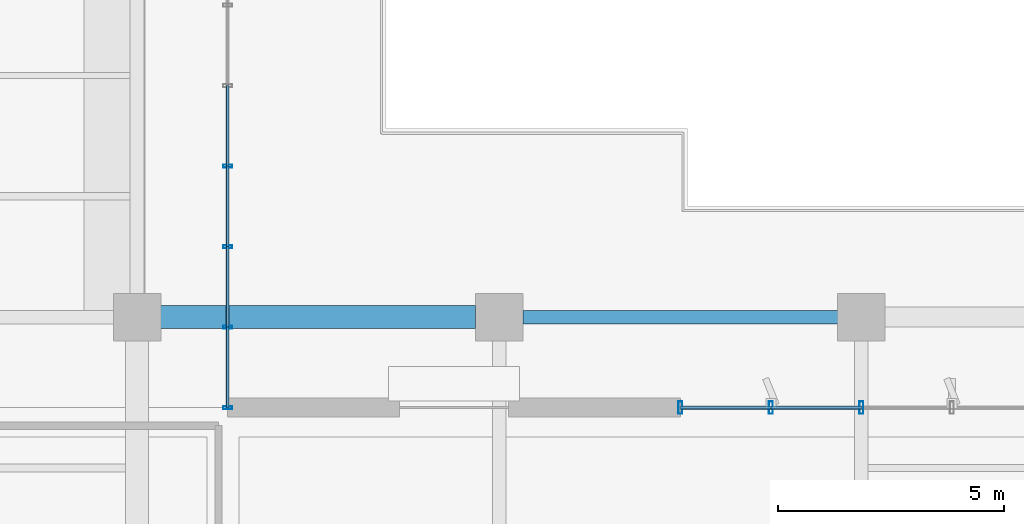
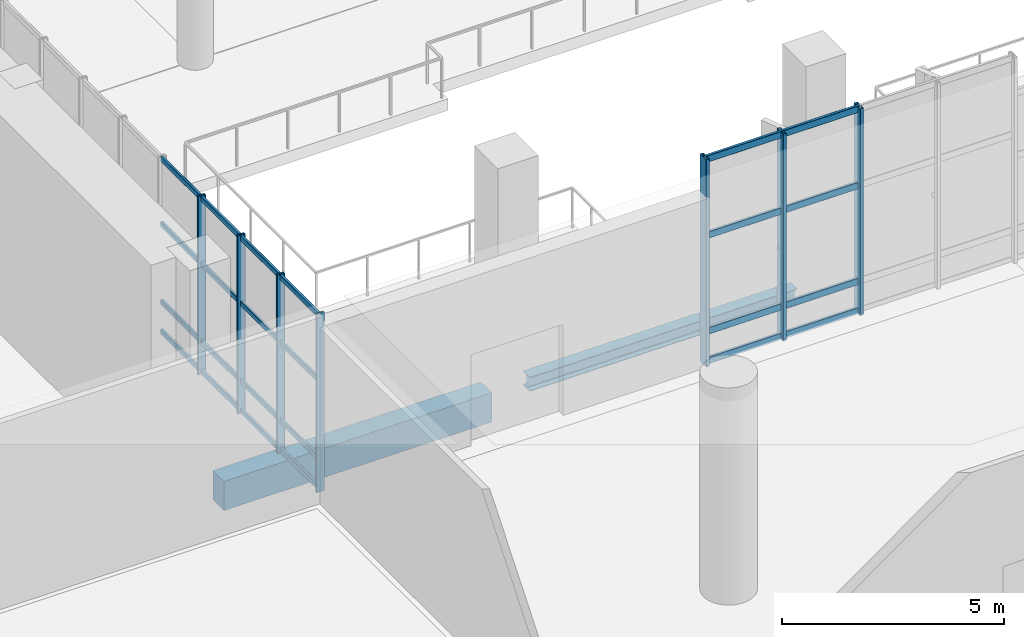
# One storey, part 68 of 163: 31 members, 2 beams, 2 elements without a shape of their own.
"""IFC4 building model written with IfcOpenShell, lengths in metres."""

import ifcopenshell
import ifcopenshell.guid

model = None  # the IFC model being written
_history = None  # IfcOwnerHistory: only IFC2X3 demands one
_inside = {}  # id of a spatial element -> (the spatial element, [elements in it])
_under = {}  # id of a project, library or spatial element -> (it, [spatial elements below it])
_declared = {}  # id of a project -> (the project, [libraries it declares])
_typed = {}  # id of a type object -> (the type object, [elements of that type])
_made_of = {}  # id of a material, layer set ... -> (it, [elements and type objects made of it])


def new_model(schema):
    """Start an empty IFC model of exactly this schema.

    Asked for "IFC4X3", IfcOpenShell would pick the latest addendum, in which some entities
    have other attributes; the version numbers below select the first issue.
    IFC2X3 requires an IfcOwnerHistory on every rooted entity: one is made here for all.
    """
    global model, _history
    if schema == "IFC4X3":
        model = ifcopenshell.file(schema_version=(4, 3, 0, 0))
    else:
        model = ifcopenshell.file(schema=schema)
    _inside.clear()
    _under.clear()
    _declared.clear()
    _typed.clear()
    _made_of.clear()
    _history = None
    if model.schema == "IFC2X3":
        org = make("IfcOrganization", Name="unknown")
        user = make(
            "IfcPersonAndOrganization",
            ThePerson=make("IfcPerson", FamilyName="unknown"),
            TheOrganization=org,
        )
        app = make(
            "IfcApplication",
            ApplicationDeveloper=org,
            Version="unknown",
            ApplicationFullName="unknown",
            ApplicationIdentifier="unknown",
        )
        _history = make(
            "IfcOwnerHistory",
            OwningUser=user,
            OwningApplication=app,
            ChangeAction="ADDED",
            CreationDate=0,
        )
    return model


def make(cls, **values):
    """One entity of the class cls with the attributes given. An attribute that is None is left unset."""
    return model.create_entity(
        cls, **{name: value for name, value in values.items() if value is not None}
    )


def rooted(cls, **values):
    """An entity with a GlobalId (a new one), such as an element, a storey or a relation."""
    return make(cls, GlobalId=ifcopenshell.guid.new(), OwnerHistory=_history, **values)


def si_unit(unit_type, name, prefix=None):
    """IfcSIUnit, for example si_unit("LENGTHUNIT", "METRE", prefix="MILLI")."""
    return make("IfcSIUnit", UnitType=unit_type, Prefix=prefix, Name=name)


def assignment(units):
    """IfcUnitAssignment: the units of a project."""
    return None if units is None else make("IfcUnitAssignment", Units=units)


def point(xyz):
    """IfcCartesianPoint."""
    return None if xyz is None else make("IfcCartesianPoint", Coordinates=xyz)


def direction(xyz):
    """IfcDirection."""
    return None if xyz is None else make("IfcDirection", DirectionRatios=xyz)


def frame(location, z_axis=None, x_axis=None):
    """IfcAxis2Placement3D, a coordinate frame: its origin and axes. An axis left out is left unset."""
    return make(
        "IfcAxis2Placement3D",
        Location=point(location),
        Axis=direction(z_axis),
        RefDirection=direction(x_axis),
    )


def frame_2d(location, x_axis=None):
    """IfcAxis2Placement2D, a coordinate frame in the plane: its origin and x axis."""
    return make(
        "IfcAxis2Placement2D", Location=point(location), RefDirection=direction(x_axis)
    )


def origin():
    """The frame at (0, 0, 0) with its axes left unset."""
    return frame((0.0, 0.0, 0.0))


def origin_2d():
    """The frame at (0, 0) in the plane with its x axis left unset."""
    return frame_2d((0.0, 0.0))


def place(relative_to, where):
    """IfcLocalPlacement: puts the frame where relative to a parent placement (None: the world)."""
    return make(
        "IfcLocalPlacement", PlacementRelTo=relative_to, RelativePlacement=where
    )


def context(
    kind, dimensions, precision=None, world=None, true_north=None, identifier=None
):
    """IfcGeometricRepresentationContext, for example the 3D "Model" context."""
    return make(
        "IfcGeometricRepresentationContext",
        ContextIdentifier=identifier,
        ContextType=kind,
        CoordinateSpaceDimension=dimensions,
        Precision=precision,
        WorldCoordinateSystem=world,
        TrueNorth=true_north,
    )


def subcontext(parent, identifier, kind, view, scale=None):
    """IfcGeometricRepresentationSubContext, for example "Body" below "Model"."""
    return make(
        "IfcGeometricRepresentationSubContext",
        ContextIdentifier=identifier,
        ContextType=kind,
        ParentContext=parent,
        TargetScale=scale,
        TargetView=view,
    )


def project(units=None, contexts=None):
    """IfcProject with its units and contexts."""
    return rooted(
        "IfcProject",
        Name="project",
        RepresentationContexts=contexts,
        UnitsInContext=assignment(units),
    )


def spatial(cls, under=None, at=None, **own):
    """A site, building, storey or space (cls), placed at a placement, below another one or the project."""
    s = rooted(cls, ObjectPlacement=at, **own)
    if under is not None:
        _under.setdefault(under.id(), (under, []))[1].append(s)
    return s


def profile(cls, at=None, kind="AREA", **sizes):
    """A parametric profile (cls). Its sizes go by their IFC names, for example OverallWidth=200.0."""
    return make(cls, ProfileType=kind, Position=at, **sizes)


def rectangle(**sizes):
    """IfcRectangleProfileDef."""
    return profile("IfcRectangleProfileDef", **sizes)


def hollow_rectangle(**sizes):
    """IfcRectangleHollowProfileDef."""
    return profile("IfcRectangleHollowProfileDef", **sizes)


def i_section(**sizes):
    """IfcIShapeProfileDef."""
    return profile("IfcIShapeProfileDef", **sizes)


def extrude(swept, where, along, depth):
    """IfcExtrudedAreaSolid: the profile swept, set in the frame where, extruded along a direction by depth."""
    return make(
        "IfcExtrudedAreaSolid",
        SweptArea=swept,
        Position=where,
        ExtrudedDirection=direction(along),
        Depth=depth,
    )


def shape(context_of_items, identifier, shape_type, items):
    """IfcShapeRepresentation: the items that make up one representation, for example the "Body"."""
    return make(
        "IfcShapeRepresentation",
        ContextOfItems=context_of_items,
        RepresentationIdentifier=identifier,
        RepresentationType=shape_type,
        Items=items,
    )


def material(Name=None, Category=None):
    """IfcMaterial."""
    return make("IfcMaterial", Name=Name, Category=Category)


def layer(
    of_material, thickness, ventilated=None, Name=None, Category=None, Priority=None
):
    """IfcMaterialLayer: one layer of a wall or slab, of a material (None: an air gap)."""
    return make(
        "IfcMaterialLayer",
        Material=of_material,
        LayerThickness=thickness,
        IsVentilated=ventilated,
        Name=Name,
        Category=Category,
        Priority=Priority,
    )


def layer_set(layers, Name=None):
    """IfcMaterialLayerSet."""
    return make("IfcMaterialLayerSet", MaterialLayers=layers, LayerSetName=Name)


def material_profile(
    of_material, cross_section, Name=None, Category=None, Priority=None
):
    """IfcMaterialProfile: a cross section and its material."""
    return make(
        "IfcMaterialProfile",
        Name=Name,
        Material=of_material,
        Profile=cross_section,
        Priority=Priority,
        Category=Category,
    )


def profile_set(profiles, Name=None, composite=None):
    """IfcMaterialProfileSet."""
    return make(
        "IfcMaterialProfileSet",
        Name=Name,
        MaterialProfiles=profiles,
        CompositeProfile=composite,
    )


def made_of(thing, what):
    """Note that an element or type object is made of a material, layer set ...; save() writes the relation."""
    if what is not None:
        _made_of.setdefault(what.id(), (what, []))[1].append(thing)
    return thing


def type_object(cls, material=None, **own):
    """A type object (cls), such as IfcWallType, which elements share."""
    return made_of(rooted(cls, **own), material)


def element(
    cls,
    number,
    at=None,
    inside=None,
    cuts=None,
    type_object=None,
    material=None,
    context=None,
    identifier="Body",
    shape_type=None,
    held_by="IfcProductDefinitionShape",
    body=None,
    shapes=None,
    **own,
):
    """One element of the class cls, such as IfcWall. Its Tag is "e" and its number.

    at: its placement. inside: the storey or other place that contains it. cuts: it is an
    opening in that element (IfcRelVoidsElement). A single representation is given by context,
    identifier, shape_type and body (its items); several are given by shapes. held_by: the class
    of the entity that holds the representations. save() writes the other relations.
    """
    e = rooted(cls, Tag="e%d" % number, ObjectPlacement=at, **own)
    if body is not None:
        shapes = [shape(context, identifier, shape_type, body)]
    if shapes is not None:
        e.Representation = make(held_by, Representations=shapes)
    if inside is not None:
        _inside.setdefault(inside.id(), (inside, []))[1].append(e)
    if cuts is not None:
        rooted(
            "IfcRelVoidsElement", RelatingBuildingElement=cuts, RelatedOpeningElement=e
        )
    if type_object is not None:
        _typed.setdefault(type_object.id(), (type_object, []))[1].append(e)
    return made_of(e, material)


def aggregate(whole, parts):
    """IfcRelAggregates: a whole, such as a stair, and the parts it consists of."""
    return rooted("IfcRelAggregates", RelatingObject=whole, RelatedObjects=parts)


def save(model, path):
    """Write the relations noted so far, then the file.

    IfcRelAggregates (storeys below a building ...), IfcRelContainedInSpatialStructure (elements
    in a storey), IfcRelDefinesByType, IfcRelAssociatesMaterial and IfcRelDeclares: one each for
    every whole, place, type object, material and project.
    """
    for whole, parts in _under.values():
        aggregate(whole, parts)
    for where, things in _inside.values():
        rooted(
            "IfcRelContainedInSpatialStructure",
            RelatedElements=things,
            RelatingStructure=where,
        )
    for kind, things in _typed.values():
        rooted("IfcRelDefinesByType", RelatedObjects=things, RelatingType=kind)
    for what, things in _made_of.values():
        rooted("IfcRelAssociatesMaterial", RelatedObjects=things, RelatingMaterial=what)
    for by, libraries in _declared.values():
        rooted("IfcRelDeclares", RelatingContext=by, RelatedDefinitions=libraries)
    model.write(path)


model = new_model("IFC4")

# Units and contexts
model_context = context("Model", 3, precision=1e-05, world=origin(), true_north=direction((0.0, 1.0)))
body_context = subcontext(model_context, "Body", "Model", "MODEL_VIEW")
ifc_project = project(units=[si_unit("LENGTHUNIT", "METRE"), si_unit("AREAUNIT", "SQUARE_METRE"), si_unit("VOLUMEUNIT", "CUBIC_METRE"), si_unit("PLANEANGLEUNIT", "RADIAN"), si_unit("MASSUNIT", "GRAM", prefix="KILO")], contexts=[model_context])

# Site, building, storey
site_placement = place(None, origin())
site = spatial("IfcSite", under=ifc_project, at=site_placement, CompositionType="ELEMENT")
building_placement = place(site_placement, origin())
building = spatial("IfcBuilding", under=site, at=building_placement, Name="Khorjan Park Terminus", CompositionType="ELEMENT")
storey_placement = place(building_placement, origin())
storey = spatial("IfcBuildingStorey", under=building, at=storey_placement, Name="L00", CompositionType="ELEMENT", Elevation=0.0)

# Beams
ifc_material_1 = material(Name="Steel S355", Category="steel")
ifc_material_profile_1 = material_profile(ifc_material_1, i_section(OverallWidth=0.3, OverallDepth=0.39, WebThickness=0.011, FlangeThickness=0.019, FilletRadius=0.027, at=origin_2d()), Name="HEA 400")
ifc_profile_set_1 = profile_set([ifc_material_profile_1], Name="Steel S355")
beam_type_1 = type_object("IfcBeamType", Name="BM-HEA400", PredefinedType="BEAM", material=ifc_profile_set_1)
beam_1_placement = place(storey_placement, frame((80.52, 88.0, -0.515), z_axis=(1.0, 0.0, 0.0), x_axis=(0.0, 1.0, 0.0)))
element("IfcBeam", 1, at=beam_1_placement, inside=storey, type_object=beam_type_1, Name="Primary floor girder SB-A40 (L00)", PredefinedType="BEAM", context=body_context, shape_type="SweptSolid", body=[
    extrude(i_section(OverallWidth=0.3, OverallDepth=0.39, WebThickness=0.011, FlangeThickness=0.019, FilletRadius=0.027, at=origin_2d()), origin(), (0.0, 0.0, 1.0), 6.96),
])
ifc_material_2 = material(Name="Concrete C40/50", Category="concrete")
ifc_material_profile_2 = material_profile(ifc_material_2, rectangle(XDim=0.5, YDim=0.8, at=origin_2d()), Name="RC 500x800")
ifc_profile_set_2 = profile_set([ifc_material_profile_2], Name="Concrete C40/50")
beam_type_2 = type_object("IfcBeamType", Name="BM-RC500x800", PredefinedType="BEAM", material=ifc_profile_set_2)
beam_2_placement = place(storey_placement, frame((72.52, 88.0, -0.72), z_axis=(1.0, 0.0, 0.0), x_axis=(0.0, 1.0, 0.0)))
element("IfcBeam", 2, at=beam_2_placement, inside=storey, type_object=beam_type_2, Name="Primary floor girder GB-08 (L00)", PredefinedType="BEAM", context=body_context, shape_type="SweptSolid", body=[
    extrude(rectangle(XDim=0.5, YDim=0.8, at=origin_2d()), origin(), (0.0, 0.0, 1.0), 6.96),
])

# Curtain wall, members
ifc_material_3 = material(Name="Anodized Bronze Aluminium", Category="aluminium")
ifc_layer_1 = layer(ifc_material_3, 0.22)
ifc_layer_set_1 = layer_set([ifc_layer_1], Name="Anodized Bronze Aluminium")
curtain_wall_type_1 = type_object("IfcCurtainWallType", Name="CW-BRG-D", PredefinedType="NOTDEFINED", material=ifc_layer_set_1)
curtain_wall_1_placement = place(storey_placement, origin())
curtain_wall_1 = element("IfcCurtainWall", 3, at=curtain_wall_1_placement, inside=storey, type_object=curtain_wall_type_1, Name="Unitized curtain wall CW-D (CW-NKW-E-L00)", PredefinedType="NOTDEFINED")
ifc_material_profile_3 = material_profile(ifc_material_3, hollow_rectangle(XDim=0.07, YDim=0.2, WallThickness=0.005, InnerFilletRadius=0.005, OuterFilletRadius=0.01, at=origin_2d()), Name="ALM 70x200x5")
ifc_profile_set_3 = profile_set([ifc_material_profile_3], Name="Anodized Bronze Aluminium")
member_type_1 = type_object("IfcMemberType", Name="ML-ALM-200", PredefinedType="MULLION", material=ifc_profile_set_3)
member_1_placement = place(storey_placement, frame((74.0, 86.0, -0.035), z_axis=(0.0, 0.0, 1.0), x_axis=(0.0, 1.0, 0.0)))
member_1 = element("IfcMember", 4, at=member_1_placement, type_object=member_type_1, Name="Curtain-wall mullion ML-20 (CW-NKW-E-L00-0)", PredefinedType="MULLION", context=body_context, shape_type="SweptSolid", body=[
    extrude(hollow_rectangle(XDim=0.07, YDim=0.2, WallThickness=0.005, InnerFilletRadius=0.005, OuterFilletRadius=0.01, at=origin_2d()), origin(), (0.0, 0.0, 1.0), 4.895),
])
member_2_placement = place(storey_placement, frame((74.0, 87.7778, -0.035), z_axis=(0.0, 0.0, 1.0), x_axis=(0.0, 1.0, 0.0)))
member_2 = element("IfcMember", 5, at=member_2_placement, type_object=member_type_1, Name="Curtain-wall mullion ML-20 (CW-NKW-E-L00-1)", PredefinedType="MULLION", context=body_context, shape_type="SweptSolid", body=[
    extrude(hollow_rectangle(XDim=0.07, YDim=0.2, WallThickness=0.005, InnerFilletRadius=0.005, OuterFilletRadius=0.01, at=origin_2d()), origin(), (0.0, 0.0, 1.0), 4.895),
])
member_3_placement = place(storey_placement, frame((74.0, 89.5556, -0.035), z_axis=(0.0, 0.0, 1.0), x_axis=(0.0, 1.0, 0.0)))
member_3 = element("IfcMember", 6, at=member_3_placement, type_object=member_type_1, Name="Curtain-wall mullion ML-20 (CW-NKW-E-L00-2)", PredefinedType="MULLION", context=body_context, shape_type="SweptSolid", body=[
    extrude(hollow_rectangle(XDim=0.07, YDim=0.2, WallThickness=0.005, InnerFilletRadius=0.005, OuterFilletRadius=0.01, at=origin_2d()), origin(), (0.0, 0.0, 1.0), 4.895),
])
member_4_placement = place(storey_placement, frame((74.0, 91.3333, -0.035), z_axis=(0.0, 0.0, 1.0), x_axis=(0.0, 1.0, 0.0)))
member_4 = element("IfcMember", 7, at=member_4_placement, type_object=member_type_1, Name="Curtain-wall mullion ML-20 (CW-NKW-E-L00-3)", PredefinedType="MULLION", context=body_context, shape_type="SweptSolid", body=[
    extrude(hollow_rectangle(XDim=0.07, YDim=0.2, WallThickness=0.005, InnerFilletRadius=0.005, OuterFilletRadius=0.01, at=origin_2d()), origin(), (0.0, 0.0, 1.0), 4.895),
])

ifc_layer_2 = layer(ifc_material_3, 0.22)
ifc_layer_set_2 = layer_set([ifc_layer_2], Name="Anodized Bronze Aluminium")
curtain_wall_type_2 = type_object("IfcCurtainWallType", Name="CW-CONC-A", PredefinedType="NOTDEFINED", material=ifc_layer_set_2)
curtain_wall_2_placement = place(storey_placement, origin())
curtain_wall_2 = element("IfcCurtainWall", 8, at=curtain_wall_2_placement, inside=storey, type_object=curtain_wall_type_2, Name="Unitized curtain wall CW-A (CW-V2-N-L00-04)", PredefinedType="NOTDEFINED")
ifc_material_profile_4 = material_profile(ifc_material_3, hollow_rectangle(XDim=0.09, YDim=0.28, WallThickness=0.006, InnerFilletRadius=0.006, OuterFilletRadius=0.012, at=origin_2d()), Name="ALM 90x280x6")
ifc_profile_set_4 = profile_set([ifc_material_profile_4], Name="Anodized Bronze Aluminium")
member_type_2 = type_object("IfcMemberType", Name="ML-ALM-280", PredefinedType="MULLION", material=ifc_profile_set_4)
member_5_placement = place(storey_placement, frame((88.0, 86.0, -0.035), z_axis=(0.0, 0.0, 1.0), x_axis=(-1.0, 0.0, 0.0)))
member_5 = element("IfcMember", 9, at=member_5_placement, type_object=member_type_2, Name="Curtain-wall mullion ML-28 (CW-V2-N-L00-04-2)", PredefinedType="MULLION", context=body_context, shape_type="SweptSolid", body=[
    extrude(hollow_rectangle(XDim=0.09, YDim=0.28, WallThickness=0.006, InnerFilletRadius=0.006, OuterFilletRadius=0.012, at=origin_2d()), origin(), (0.0, 0.0, 1.0), 5.69),
])
member_6_placement = place(storey_placement, frame((86.0, 86.0, -0.035), z_axis=(0.0, 0.0, 1.0), x_axis=(-1.0, 0.0, 0.0)))
member_6 = element("IfcMember", 10, at=member_6_placement, type_object=member_type_2, Name="Curtain-wall mullion ML-28 (CW-V2-N-L00-04-3)", PredefinedType="MULLION", context=body_context, shape_type="SweptSolid", body=[
    extrude(hollow_rectangle(XDim=0.09, YDim=0.28, WallThickness=0.006, InnerFilletRadius=0.006, OuterFilletRadius=0.012, at=origin_2d()), origin(), (0.0, 0.0, 1.0), 5.69),
])
member_7_placement = place(storey_placement, frame((84.0, 86.0, -0.035), z_axis=(0.0, 0.0, 1.0), x_axis=(-1.0, 0.0, 0.0)))
member_7 = element("IfcMember", 11, at=member_7_placement, type_object=member_type_2, Name="Curtain-wall mullion ML-28 (CW-V2-N-L00-04-4)", PredefinedType="MULLION", context=body_context, shape_type="SweptSolid", body=[
    extrude(hollow_rectangle(XDim=0.09, YDim=0.28, WallThickness=0.006, InnerFilletRadius=0.006, OuterFilletRadius=0.012, at=origin_2d()), origin(), (0.0, 0.0, 1.0), 5.69),
])

# Member
ifc_material_profile_5 = material_profile(ifc_material_3, hollow_rectangle(XDim=0.065, YDim=0.14, WallThickness=0.004, InnerFilletRadius=0.004, OuterFilletRadius=0.008, at=origin_2d()), Name="ALT 65x140x4")
ifc_profile_set_5 = profile_set([ifc_material_profile_5], Name="Anodized Bronze Aluminium")
member_type_3 = type_object("IfcMemberType", Name="TR-ALT-140", PredefinedType="USERDEFINED", material=ifc_profile_set_5)
member_8_placement = place(storey_placement, frame((74.0, 86.0, 0.04), z_axis=(0.0, 1.0, 0.0), x_axis=(-1.0, 0.0, 0.0)))
member_8 = element("IfcMember", 12, at=member_8_placement, type_object=member_type_3, Name="Curtain-wall transom TR-14 (CW-NKW-E-L00-0-1)", ObjectType="TRANSOM", PredefinedType="USERDEFINED", context=body_context, shape_type="SweptSolid", body=[
    extrude(hollow_rectangle(XDim=0.065, YDim=0.14, WallThickness=0.004, InnerFilletRadius=0.004, OuterFilletRadius=0.008, at=origin_2d()), origin(), (0.0, 0.0, 1.0), 1.7778),
])

member_9_placement = place(storey_placement, frame((74.0, 86.0, 0.85), z_axis=(0.0, 1.0, 0.0), x_axis=(-1.0, 0.0, 0.0)))
member_9 = element("IfcMember", 13, at=member_9_placement, type_object=member_type_3, Name="Curtain-wall transom TR-14 (CW-NKW-E-L00-0-2)", ObjectType="TRANSOM", PredefinedType="USERDEFINED", context=body_context, shape_type="SweptSolid", body=[
    extrude(hollow_rectangle(XDim=0.065, YDim=0.14, WallThickness=0.004, InnerFilletRadius=0.004, OuterFilletRadius=0.008, at=origin_2d()), origin(), (0.0, 0.0, 1.0), 1.7778),
])

member_10_placement = place(storey_placement, frame((74.0, 86.0, 2.9915), z_axis=(0.0, 1.0, 0.0), x_axis=(-1.0, 0.0, 0.0)))
member_10 = element("IfcMember", 14, at=member_10_placement, type_object=member_type_3, Name="Curtain-wall transom TR-14 (CW-NKW-E-L00-0-3)", ObjectType="TRANSOM", PredefinedType="USERDEFINED", context=body_context, shape_type="SweptSolid", body=[
    extrude(hollow_rectangle(XDim=0.065, YDim=0.14, WallThickness=0.004, InnerFilletRadius=0.004, OuterFilletRadius=0.008, at=origin_2d()), origin(), (0.0, 0.0, 1.0), 1.7778),
])

member_11_placement = place(storey_placement, frame((74.0, 86.0, 4.785), z_axis=(0.0, 1.0, 0.0), x_axis=(-1.0, 0.0, 0.0)))
member_11 = element("IfcMember", 15, at=member_11_placement, type_object=member_type_3, Name="Curtain-wall transom TR-14 (CW-NKW-E-L00-0-4)", ObjectType="TRANSOM", PredefinedType="USERDEFINED", context=body_context, shape_type="SweptSolid", body=[
    extrude(hollow_rectangle(XDim=0.065, YDim=0.14, WallThickness=0.004, InnerFilletRadius=0.004, OuterFilletRadius=0.008, at=origin_2d()), origin(), (0.0, 0.0, 1.0), 1.7778),
])

member_12_placement = place(storey_placement, frame((74.0, 87.7778, 0.04), z_axis=(0.0, 1.0, 0.0), x_axis=(-1.0, 0.0, 0.0)))
member_12 = element("IfcMember", 16, at=member_12_placement, type_object=member_type_3, Name="Curtain-wall transom TR-14 (CW-NKW-E-L00-1-1)", ObjectType="TRANSOM", PredefinedType="USERDEFINED", context=body_context, shape_type="SweptSolid", body=[
    extrude(hollow_rectangle(XDim=0.065, YDim=0.14, WallThickness=0.004, InnerFilletRadius=0.004, OuterFilletRadius=0.008, at=origin_2d()), origin(), (0.0, 0.0, 1.0), 1.7778),
])

member_13_placement = place(storey_placement, frame((74.0, 87.7778, 0.85), z_axis=(0.0, 1.0, 0.0), x_axis=(-1.0, 0.0, 0.0)))
member_13 = element("IfcMember", 17, at=member_13_placement, type_object=member_type_3, Name="Curtain-wall transom TR-14 (CW-NKW-E-L00-1-2)", ObjectType="TRANSOM", PredefinedType="USERDEFINED", context=body_context, shape_type="SweptSolid", body=[
    extrude(hollow_rectangle(XDim=0.065, YDim=0.14, WallThickness=0.004, InnerFilletRadius=0.004, OuterFilletRadius=0.008, at=origin_2d()), origin(), (0.0, 0.0, 1.0), 1.7778),
])

member_14_placement = place(storey_placement, frame((74.0, 87.7778, 2.9915), z_axis=(0.0, 1.0, 0.0), x_axis=(-1.0, 0.0, 0.0)))
member_14 = element("IfcMember", 18, at=member_14_placement, type_object=member_type_3, Name="Curtain-wall transom TR-14 (CW-NKW-E-L00-1-3)", ObjectType="TRANSOM", PredefinedType="USERDEFINED", context=body_context, shape_type="SweptSolid", body=[
    extrude(hollow_rectangle(XDim=0.065, YDim=0.14, WallThickness=0.004, InnerFilletRadius=0.004, OuterFilletRadius=0.008, at=origin_2d()), origin(), (0.0, 0.0, 1.0), 1.7778),
])

member_15_placement = place(storey_placement, frame((74.0, 87.7778, 4.785), z_axis=(0.0, 1.0, 0.0), x_axis=(-1.0, 0.0, 0.0)))
member_15 = element("IfcMember", 19, at=member_15_placement, type_object=member_type_3, Name="Curtain-wall transom TR-14 (CW-NKW-E-L00-1-4)", ObjectType="TRANSOM", PredefinedType="USERDEFINED", context=body_context, shape_type="SweptSolid", body=[
    extrude(hollow_rectangle(XDim=0.065, YDim=0.14, WallThickness=0.004, InnerFilletRadius=0.004, OuterFilletRadius=0.008, at=origin_2d()), origin(), (0.0, 0.0, 1.0), 1.7778),
])

member_16_placement = place(storey_placement, frame((74.0, 89.5556, 0.04), z_axis=(0.0, 1.0, 0.0), x_axis=(-1.0, 0.0, 0.0)))
member_16 = element("IfcMember", 20, at=member_16_placement, type_object=member_type_3, Name="Curtain-wall transom TR-14 (CW-NKW-E-L00-2-1)", ObjectType="TRANSOM", PredefinedType="USERDEFINED", context=body_context, shape_type="SweptSolid", body=[
    extrude(hollow_rectangle(XDim=0.065, YDim=0.14, WallThickness=0.004, InnerFilletRadius=0.004, OuterFilletRadius=0.008, at=origin_2d()), origin(), (0.0, 0.0, 1.0), 1.7777),
])

member_17_placement = place(storey_placement, frame((74.0, 89.5556, 0.85), z_axis=(0.0, 1.0, 0.0), x_axis=(-1.0, 0.0, 0.0)))
member_17 = element("IfcMember", 21, at=member_17_placement, type_object=member_type_3, Name="Curtain-wall transom TR-14 (CW-NKW-E-L00-2-2)", ObjectType="TRANSOM", PredefinedType="USERDEFINED", context=body_context, shape_type="SweptSolid", body=[
    extrude(hollow_rectangle(XDim=0.065, YDim=0.14, WallThickness=0.004, InnerFilletRadius=0.004, OuterFilletRadius=0.008, at=origin_2d()), origin(), (0.0, 0.0, 1.0), 1.7777),
])

member_18_placement = place(storey_placement, frame((74.0, 89.5556, 2.9915), z_axis=(0.0, 1.0, 0.0), x_axis=(-1.0, 0.0, 0.0)))
member_18 = element("IfcMember", 22, at=member_18_placement, type_object=member_type_3, Name="Curtain-wall transom TR-14 (CW-NKW-E-L00-2-3)", ObjectType="TRANSOM", PredefinedType="USERDEFINED", context=body_context, shape_type="SweptSolid", body=[
    extrude(hollow_rectangle(XDim=0.065, YDim=0.14, WallThickness=0.004, InnerFilletRadius=0.004, OuterFilletRadius=0.008, at=origin_2d()), origin(), (0.0, 0.0, 1.0), 1.7777),
])

member_19_placement = place(storey_placement, frame((74.0, 89.5556, 4.785), z_axis=(0.0, 1.0, 0.0), x_axis=(-1.0, 0.0, 0.0)))
member_19 = element("IfcMember", 23, at=member_19_placement, type_object=member_type_3, Name="Curtain-wall transom TR-14 (CW-NKW-E-L00-2-4)", ObjectType="TRANSOM", PredefinedType="USERDEFINED", context=body_context, shape_type="SweptSolid", body=[
    extrude(hollow_rectangle(XDim=0.065, YDim=0.14, WallThickness=0.004, InnerFilletRadius=0.004, OuterFilletRadius=0.008, at=origin_2d()), origin(), (0.0, 0.0, 1.0), 1.7777),
])

member_20_placement = place(storey_placement, frame((74.0, 91.3333, 0.04), z_axis=(0.0, 1.0, 0.0), x_axis=(-1.0, 0.0, 0.0)))
member_20 = element("IfcMember", 24, at=member_20_placement, type_object=member_type_3, Name="Curtain-wall transom TR-14 (CW-NKW-E-L00-3-1)", ObjectType="TRANSOM", PredefinedType="USERDEFINED", context=body_context, shape_type="SweptSolid", body=[
    extrude(hollow_rectangle(XDim=0.065, YDim=0.14, WallThickness=0.004, InnerFilletRadius=0.004, OuterFilletRadius=0.008, at=origin_2d()), origin(), (0.0, 0.0, 1.0), 1.7778),
])

member_21_placement = place(storey_placement, frame((74.0, 91.3333, 0.85), z_axis=(0.0, 1.0, 0.0), x_axis=(-1.0, 0.0, 0.0)))
member_21 = element("IfcMember", 25, at=member_21_placement, type_object=member_type_3, Name="Curtain-wall transom TR-14 (CW-NKW-E-L00-3-2)", ObjectType="TRANSOM", PredefinedType="USERDEFINED", context=body_context, shape_type="SweptSolid", body=[
    extrude(hollow_rectangle(XDim=0.065, YDim=0.14, WallThickness=0.004, InnerFilletRadius=0.004, OuterFilletRadius=0.008, at=origin_2d()), origin(), (0.0, 0.0, 1.0), 1.7778),
])

member_22_placement = place(storey_placement, frame((74.0, 91.3333, 2.9915), z_axis=(0.0, 1.0, 0.0), x_axis=(-1.0, 0.0, 0.0)))
member_22 = element("IfcMember", 26, at=member_22_placement, type_object=member_type_3, Name="Curtain-wall transom TR-14 (CW-NKW-E-L00-3-3)", ObjectType="TRANSOM", PredefinedType="USERDEFINED", context=body_context, shape_type="SweptSolid", body=[
    extrude(hollow_rectangle(XDim=0.065, YDim=0.14, WallThickness=0.004, InnerFilletRadius=0.004, OuterFilletRadius=0.008, at=origin_2d()), origin(), (0.0, 0.0, 1.0), 1.7778),
])

member_23_placement = place(storey_placement, frame((74.0, 91.3333, 4.785), z_axis=(0.0, 1.0, 0.0), x_axis=(-1.0, 0.0, 0.0)))
member_23 = element("IfcMember", 27, at=member_23_placement, type_object=member_type_3, Name="Curtain-wall transom TR-14 (CW-NKW-E-L00-3-4)", ObjectType="TRANSOM", PredefinedType="USERDEFINED", context=body_context, shape_type="SweptSolid", body=[
    extrude(hollow_rectangle(XDim=0.065, YDim=0.14, WallThickness=0.004, InnerFilletRadius=0.004, OuterFilletRadius=0.008, at=origin_2d()), origin(), (0.0, 0.0, 1.0), 1.7778),
])

aggregate(curtain_wall_1, [member_1, member_2, member_3, member_4, member_8, member_9, member_10, member_11, member_12, member_13, member_14, member_15, member_16, member_17, member_18, member_19, member_20, member_21, member_22, member_23])

ifc_material_profile_6 = material_profile(ifc_material_3, hollow_rectangle(XDim=0.075, YDim=0.185, WallThickness=0.005, InnerFilletRadius=0.005, OuterFilletRadius=0.01, at=origin_2d()), Name="ALT 75x185x5")
ifc_profile_set_6 = profile_set([ifc_material_profile_6], Name="Anodized Bronze Aluminium")
member_type_4 = type_object("IfcMemberType", Name="TR-ALT-185", PredefinedType="USERDEFINED", material=ifc_profile_set_6)
member_24_placement = place(storey_placement, frame((88.0, 86.0, 0.04), z_axis=(-1.0, 0.0, 0.0), x_axis=(0.0, -1.0, 0.0)))
member_24 = element("IfcMember", 28, at=member_24_placement, type_object=member_type_4, Name="Curtain-wall transom TR-18 (CW-V2-N-L00-04-2-1)", ObjectType="TRANSOM", PredefinedType="USERDEFINED", context=body_context, shape_type="SweptSolid", body=[
    extrude(hollow_rectangle(XDim=0.075, YDim=0.185, WallThickness=0.005, InnerFilletRadius=0.005, OuterFilletRadius=0.01, at=origin_2d()), origin(), (0.0, 0.0, 1.0), 2.0),
])

member_25_placement = place(storey_placement, frame((88.0, 86.0, 0.85), z_axis=(-1.0, 0.0, 0.0), x_axis=(0.0, -1.0, 0.0)))
member_25 = element("IfcMember", 29, at=member_25_placement, type_object=member_type_4, Name="Curtain-wall transom TR-18 (CW-V2-N-L00-04-2-2)", ObjectType="TRANSOM", PredefinedType="USERDEFINED", context=body_context, shape_type="SweptSolid", body=[
    extrude(hollow_rectangle(XDim=0.075, YDim=0.185, WallThickness=0.005, InnerFilletRadius=0.005, OuterFilletRadius=0.01, at=origin_2d()), origin(), (0.0, 0.0, 1.0), 2.0),
])

member_26_placement = place(storey_placement, frame((88.0, 86.0, 3.4844), z_axis=(-1.0, 0.0, 0.0), x_axis=(0.0, -1.0, 0.0)))
member_26 = element("IfcMember", 30, at=member_26_placement, type_object=member_type_4, Name="Curtain-wall transom TR-18 (CW-V2-N-L00-04-2-3)", ObjectType="TRANSOM", PredefinedType="USERDEFINED", context=body_context, shape_type="SweptSolid", body=[
    extrude(hollow_rectangle(XDim=0.075, YDim=0.185, WallThickness=0.005, InnerFilletRadius=0.005, OuterFilletRadius=0.01, at=origin_2d()), origin(), (0.0, 0.0, 1.0), 2.0),
])

member_27_placement = place(storey_placement, frame((88.0, 86.0, 5.58), z_axis=(-1.0, 0.0, 0.0), x_axis=(0.0, -1.0, 0.0)))
member_27 = element("IfcMember", 31, at=member_27_placement, type_object=member_type_4, Name="Curtain-wall transom TR-18 (CW-V2-N-L00-04-2-4)", ObjectType="TRANSOM", PredefinedType="USERDEFINED", context=body_context, shape_type="SweptSolid", body=[
    extrude(hollow_rectangle(XDim=0.075, YDim=0.185, WallThickness=0.005, InnerFilletRadius=0.005, OuterFilletRadius=0.01, at=origin_2d()), origin(), (0.0, 0.0, 1.0), 2.0),
])

member_28_placement = place(storey_placement, frame((86.0, 86.0, 0.04), z_axis=(-1.0, 0.0, 0.0), x_axis=(0.0, -1.0, 0.0)))
member_28 = element("IfcMember", 32, at=member_28_placement, type_object=member_type_4, Name="Curtain-wall transom TR-18 (CW-V2-N-L00-04-3-1)", ObjectType="TRANSOM", PredefinedType="USERDEFINED", context=body_context, shape_type="SweptSolid", body=[
    extrude(hollow_rectangle(XDim=0.075, YDim=0.185, WallThickness=0.005, InnerFilletRadius=0.005, OuterFilletRadius=0.01, at=origin_2d()), origin(), (0.0, 0.0, 1.0), 2.0),
])

member_29_placement = place(storey_placement, frame((86.0, 86.0, 0.85), z_axis=(-1.0, 0.0, 0.0), x_axis=(0.0, -1.0, 0.0)))
member_29 = element("IfcMember", 33, at=member_29_placement, type_object=member_type_4, Name="Curtain-wall transom TR-18 (CW-V2-N-L00-04-3-2)", ObjectType="TRANSOM", PredefinedType="USERDEFINED", context=body_context, shape_type="SweptSolid", body=[
    extrude(hollow_rectangle(XDim=0.075, YDim=0.185, WallThickness=0.005, InnerFilletRadius=0.005, OuterFilletRadius=0.01, at=origin_2d()), origin(), (0.0, 0.0, 1.0), 2.0),
])

member_30_placement = place(storey_placement, frame((86.0, 86.0, 3.4844), z_axis=(-1.0, 0.0, 0.0), x_axis=(0.0, -1.0, 0.0)))
member_30 = element("IfcMember", 34, at=member_30_placement, type_object=member_type_4, Name="Curtain-wall transom TR-18 (CW-V2-N-L00-04-3-3)", ObjectType="TRANSOM", PredefinedType="USERDEFINED", context=body_context, shape_type="SweptSolid", body=[
    extrude(hollow_rectangle(XDim=0.075, YDim=0.185, WallThickness=0.005, InnerFilletRadius=0.005, OuterFilletRadius=0.01, at=origin_2d()), origin(), (0.0, 0.0, 1.0), 2.0),
])

member_31_placement = place(storey_placement, frame((86.0, 86.0, 5.58), z_axis=(-1.0, 0.0, 0.0), x_axis=(0.0, -1.0, 0.0)))
member_31 = element("IfcMember", 35, at=member_31_placement, type_object=member_type_4, Name="Curtain-wall transom TR-18 (CW-V2-N-L00-04-3-4)", ObjectType="TRANSOM", PredefinedType="USERDEFINED", context=body_context, shape_type="SweptSolid", body=[
    extrude(hollow_rectangle(XDim=0.075, YDim=0.185, WallThickness=0.005, InnerFilletRadius=0.005, OuterFilletRadius=0.01, at=origin_2d()), origin(), (0.0, 0.0, 1.0), 2.0),
])

aggregate(curtain_wall_2, [member_5, member_6, member_7, member_24, member_25, member_26, member_27, member_28, member_29, member_30, member_31])

save(model, "model.ifc")
